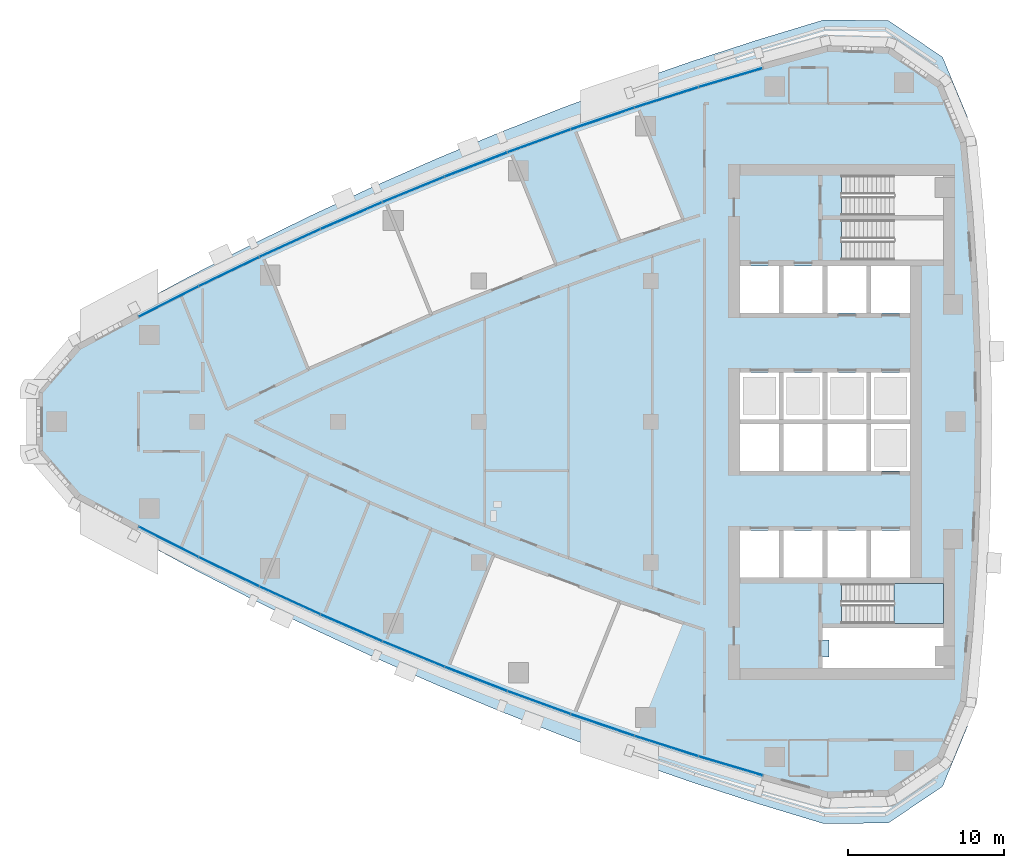
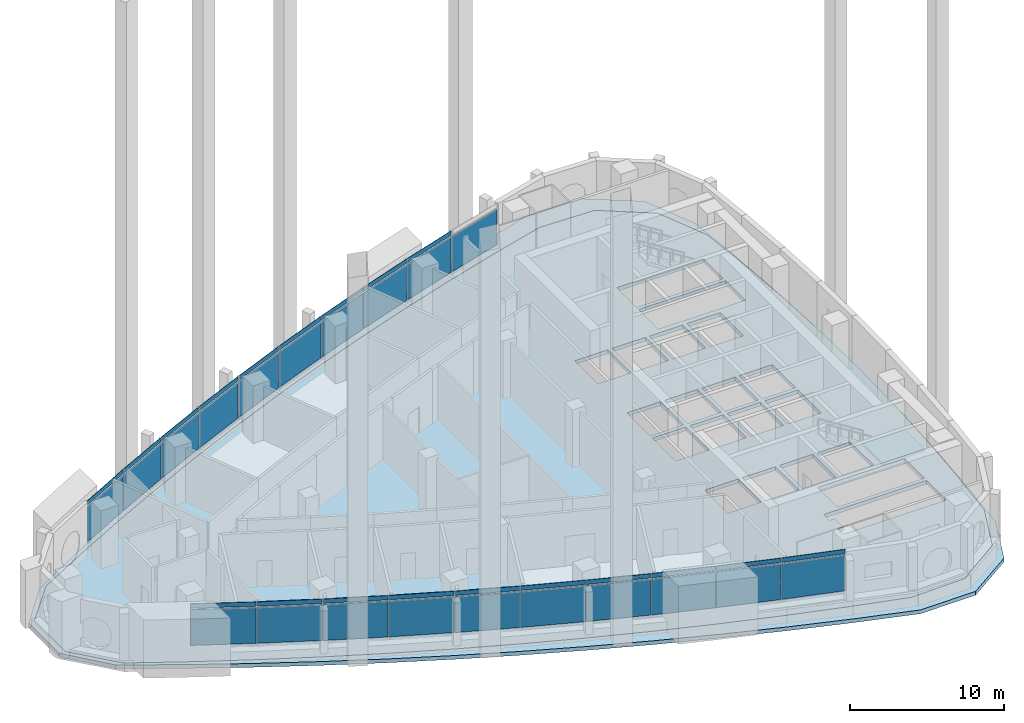
# One storey, part 6 of 19: 39 plates, 3 slabs, 1 opening, 11 elements without a shape of their own.
"""IFC4 building model written with IfcOpenShell, lengths in metres."""

from ifc_helpers import new_model, si_unit, direction, frame, origin, origin_2d, place, context, subcontext, project, spatial, polyline, rectangle, outline, extrude, material, layer, layer_set, type_object, element, aggregate, save


model = new_model("IFC4")

# Units and contexts
model_context = context("Model", 3, precision=1e-05, world=origin(), true_north=direction((0.0, 1.0)))
body_context = subcontext(model_context, "Body", "Model", "MODEL_VIEW")
ifc_project = project(units=[si_unit("LENGTHUNIT", "METRE"), si_unit("AREAUNIT", "SQUARE_METRE"), si_unit("VOLUMEUNIT", "CUBIC_METRE"), si_unit("PLANEANGLEUNIT", "RADIAN"), si_unit("MASSUNIT", "GRAM", prefix="KILO")], contexts=[model_context])

# Site, building, storey
site_placement = place(None, origin())
site = spatial("IfcSite", under=ifc_project, at=site_placement, CompositionType="ELEMENT")
building_placement = place(site_placement, origin())
building = spatial("IfcBuilding", under=site, at=building_placement, Name="Ostrand Prow Hotel Tower", CompositionType="ELEMENT")
storey_placement = place(building_placement, frame((0.0, 0.0, 170.89990234375)))
storey = spatial("IfcBuildingStorey", under=building, at=storey_placement, Name="L42", CompositionType="ELEMENT", Elevation=170.89990234375)

# Curtain wall, plates
ifc_material_1 = material(Name="Insulated glass in bronze anodised frame", Category="glass")
ifc_layer_1 = layer(ifc_material_1, 0.199951171875)
ifc_layer_set_1 = layer_set([ifc_layer_1], Name="Insulated glass in bronze anodised frame")
curtain_wall_type = type_object("IfcCurtainWallType", Name="Sky lobby full-height curtain wall", PredefinedType="NOTDEFINED", material=ifc_layer_set_1)
curtain_wall_1_placement = place(storey_placement, origin())
curtain_wall_1 = element("IfcCurtainWall", 1, at=curtain_wall_1_placement, inside=storey, type_object=curtain_wall_type, Name="CW3 run CWS1", PredefinedType="NOTDEFINED")
ifc_material_2 = material(Name="Low-iron clear glass", Category="glass")
ifc_layer_2 = layer(ifc_material_2, 0.031982421875)
ifc_layer_set_2 = layer_set([ifc_layer_2], Name="Low-iron clear glass")
plate_type_1 = type_object("IfcPlateType", Name="Clear glass unit 32 mm", PredefinedType="CURTAIN_PANEL", material=ifc_layer_set_2)
plate_1_placement = place(storey_placement, frame((14.17529296875, -7.6865234375, 1.02001953125), z_axis=(0.0, 0.0, 1.0), x_axis=(0.891683792196, -0.452658828186, 0.0)))
plate_1 = element("IfcPlate", 2, at=plate_1_placement, type_object=plate_type_1, Name="CW3 PN-C panel 1.2", PredefinedType="CURTAIN_PANEL", context=body_context, shape_type="SweptSolid", body=[
    extrude(rectangle(XDim=4.2451171875, YDim=0.031982421875, at=origin_2d()), origin(), (0.0, 0.0, 1.0), 2.820068359375),
])
plate_2_placement = place(storey_placement, frame((14.17529296875, -7.6865234375, 3.9599609375), z_axis=(0.0, 0.0, 1.0), x_axis=(0.891683792196, -0.452658828186, 0.0)))
plate_2 = element("IfcPlate", 3, at=plate_2_placement, type_object=plate_type_1, Name="CW3 PN-C panel 1.3", PredefinedType="CURTAIN_PANEL", context=body_context, shape_type="SweptSolid", body=[
    extrude(rectangle(XDim=4.2451171875, YDim=0.031982421875, at=origin_2d()), origin(), (0.0, 0.0, 1.0), 0.340087890625),
])
plate_3_placement = place(storey_placement, frame((18.033203125, -9.596435546875, 1.02001953125), z_axis=(0.0, 0.0, 1.0), x_axis=(0.90061633232, -0.434615027304, 0.0)))
plate_3 = element("IfcPlate", 4, at=plate_3_placement, type_object=plate_type_1, Name="CW3 PN-C panel 2.2", PredefinedType="CURTAIN_PANEL", context=body_context, shape_type="SweptSolid", body=[
    extrude(rectangle(XDim=4.2451171875, YDim=0.031982421875, at=origin_2d()), origin(), (0.0, 0.0, 1.0), 2.820068359375),
])

curtain_wall_2_placement = place(storey_placement, origin())
curtain_wall_2 = element("IfcCurtainWall", 5, at=curtain_wall_2_placement, inside=storey, type_object=curtain_wall_type, Name="CW3 run CWS2", PredefinedType="NOTDEFINED")
plate_4_placement = place(storey_placement, frame((21.928955078125, -11.428466796875, 1.02001953125), z_axis=(0.0, 0.0, 1.0), x_axis=(0.909184517226, -0.416393460127, 0.0)))
plate_4 = element("IfcPlate", 6, at=plate_4_placement, type_object=plate_type_1, Name="CW3 PN-C panel 1.2", PredefinedType="CURTAIN_PANEL", context=body_context, shape_type="SweptSolid", body=[
    extrude(rectangle(XDim=4.2451171875, YDim=0.031982421875, at=origin_2d()), origin(), (0.0, 0.0, 1.0), 2.820068359375),
])
plate_5_placement = place(storey_placement, frame((25.860595703125, -13.181396484375, 1.02001953125), z_axis=(0.0, 0.0, 1.0), x_axis=(0.917383388347, -0.398004671812, 0.0)))
plate_5 = element("IfcPlate", 7, at=plate_5_placement, type_object=plate_type_1, Name="CW3 PN-C panel 2.2", PredefinedType="CURTAIN_PANEL", context=body_context, shape_type="SweptSolid", body=[
    extrude(rectangle(XDim=4.2451171875, YDim=0.031982421875, at=origin_2d()), origin(), (0.0, 0.0, 1.0), 2.820068359375),
])

curtain_wall_3_placement = place(storey_placement, origin())
curtain_wall_3 = element("IfcCurtainWall", 8, at=curtain_wall_3_placement, inside=storey, type_object=curtain_wall_type, Name="CW3 run CWS3", PredefinedType="NOTDEFINED")
plate_6_placement = place(storey_placement, frame((29.826904296875, -14.85498046875, 1.02001953125), z_axis=(0.0, 0.0, 1.0), x_axis=(0.925211042932, -0.379452929936, 0.0)))
plate_6 = element("IfcPlate", 9, at=plate_6_placement, type_object=plate_type_1, Name="CW3 PN-C panel 1.2", PredefinedType="CURTAIN_PANEL", context=body_context, shape_type="SweptSolid", body=[
    extrude(rectangle(XDim=4.2451171875, YDim=0.031982421875, at=origin_2d()), origin(), (0.0, 0.0, 1.0), 2.820068359375),
])
plate_7_placement = place(storey_placement, frame((29.826904296875, -14.85498046875, 3.9599609375), z_axis=(0.0, 0.0, 1.0), x_axis=(0.925211042932, -0.379452929936, 0.0)))
plate_7 = element("IfcPlate", 10, at=plate_7_placement, type_object=plate_type_1, Name="CW3 PN-C panel 1.3", PredefinedType="CURTAIN_PANEL", context=body_context, shape_type="SweptSolid", body=[
    extrude(rectangle(XDim=4.2451171875, YDim=0.031982421875, at=origin_2d()), origin(), (0.0, 0.0, 1.0), 0.340087890625),
])
plate_8_placement = place(storey_placement, frame((33.826171875, -16.4482421875, 1.02001953125), z_axis=(0.0, 0.0, 1.0), x_axis=(0.932662950972, -0.360748970732, 0.0)))
plate_8 = element("IfcPlate", 11, at=plate_8_placement, type_object=plate_type_1, Name="CW3 PN-C panel 2.2", PredefinedType="CURTAIN_PANEL", context=body_context, shape_type="SweptSolid", body=[
    extrude(rectangle(XDim=4.2451171875, YDim=0.031982421875, at=origin_2d()), origin(), (0.0, 0.0, 1.0), 2.820068359375),
])

curtain_wall_4_placement = place(storey_placement, origin())
curtain_wall_4 = element("IfcCurtainWall", 12, at=curtain_wall_4_placement, inside=storey, type_object=curtain_wall_type, Name="CW3 run CWS4", PredefinedType="NOTDEFINED")
plate_9_placement = place(storey_placement, frame((37.8564453125, -17.960693359375, 1.02001953125), z_axis=(0.0, 0.0, 1.0), x_axis=(0.939737383067, -0.341897134919, 0.0)))
plate_9 = element("IfcPlate", 13, at=plate_9_placement, type_object=plate_type_1, Name="CW3 PN-C panel 1.2", PredefinedType="CURTAIN_PANEL", context=body_context, shape_type="SweptSolid", body=[
    extrude(rectangle(XDim=4.2451171875, YDim=0.031982421875, at=origin_2d()), origin(), (0.0, 0.0, 1.0), 2.820068359375),
])
plate_10_placement = place(storey_placement, frame((41.91650390625, -19.3916015625, 1.02001953125), z_axis=(0.0, 0.0, 1.0), x_axis=(0.946430245113, -0.322908332404, 0.0)))
plate_10 = element("IfcPlate", 14, at=plate_10_placement, type_object=plate_type_1, Name="CW3 PN-C panel 2.2", PredefinedType="CURTAIN_PANEL", context=body_context, shape_type="SweptSolid", body=[
    extrude(rectangle(XDim=4.2451171875, YDim=0.031982421875, at=origin_2d()), origin(), (0.0, 0.0, 1.0), 2.820068359375),
])

curtain_wall_5_placement = place(storey_placement, origin())
curtain_wall_5 = element("IfcCurtainWall", 15, at=curtain_wall_5_placement, inside=storey, type_object=curtain_wall_type, Name="CW3 run CWS5", PredefinedType="NOTDEFINED")
plate_11_placement = place(storey_placement, frame((46.00439453125, -20.74072265625, 1.02001953125), z_axis=(0.0, 0.0, 1.0), x_axis=(0.952739983864, -0.303786970008, 0.0)))
plate_11 = element("IfcPlate", 16, at=plate_11_placement, type_object=plate_type_1, Name="CW3 PN-C panel 1.2", PredefinedType="CURTAIN_PANEL", context=body_context, shape_type="SweptSolid", body=[
    extrude(rectangle(XDim=4.2451171875, YDim=0.031982421875, at=origin_2d()), origin(), (0.0, 0.0, 1.0), 2.820068359375),
])
plate_12_placement = place(storey_placement, frame((46.00439453125, -20.74072265625, 3.9599609375), z_axis=(0.0, 0.0, 1.0), x_axis=(0.952739983864, -0.303786970008, 0.0)))
plate_12 = element("IfcPlate", 17, at=plate_12_placement, type_object=plate_type_1, Name="CW3 PN-C panel 1.3", PredefinedType="CURTAIN_PANEL", context=body_context, shape_type="SweptSolid", body=[
    extrude(rectangle(XDim=4.2451171875, YDim=0.031982421875, at=origin_2d()), origin(), (0.0, 0.0, 1.0), 0.340087890625),
])
plate_13_placement = place(storey_placement, frame((50.118896484375, -22.007080078125, 1.02001953125), z_axis=(0.0, 0.0, 1.0), x_axis=(0.958662947758, -0.284544113619, 0.0)))
plate_13 = element("IfcPlate", 18, at=plate_13_placement, type_object=plate_type_1, Name="CW3 PN-C panel 2.2", PredefinedType="CURTAIN_PANEL", context=body_context, shape_type="SweptSolid", body=[
    extrude(rectangle(XDim=4.2451171875, YDim=0.031982421875, at=origin_2d()), origin(), (0.0, 0.0, 1.0), 2.820068359375),
])

curtain_wall_6_placement = place(storey_placement, origin())
curtain_wall_6 = element("IfcCurtainWall", 19, at=curtain_wall_6_placement, inside=storey, type_object=curtain_wall_type, Name="CW3 run CWN1", PredefinedType="NOTDEFINED")
plate_14_placement = place(storey_placement, frame((50.118896484375, 22.007080078125, 1.02001953125), z_axis=(0.0, 0.0, 1.0), x_axis=(-0.958662947758, -0.284544113619, 0.0)))
plate_14 = element("IfcPlate", 20, at=plate_14_placement, type_object=plate_type_1, Name="CW3 PN-C panel 1.2", PredefinedType="CURTAIN_PANEL", context=body_context, shape_type="SweptSolid", body=[
    extrude(rectangle(XDim=4.2451171875, YDim=0.031982421875, at=origin_2d()), origin(), (0.0, 0.0, 1.0), 2.820068359375),
])
plate_15_placement = place(storey_placement, frame((46.00439453125, 20.74072265625, 1.02001953125), z_axis=(0.0, 0.0, 1.0), x_axis=(-0.952739983864, -0.303786970008, 0.0)))
plate_15 = element("IfcPlate", 21, at=plate_15_placement, type_object=plate_type_1, Name="CW3 PN-C panel 2.2", PredefinedType="CURTAIN_PANEL", context=body_context, shape_type="SweptSolid", body=[
    extrude(rectangle(XDim=4.2451171875, YDim=0.031982421875, at=origin_2d()), origin(), (0.0, 0.0, 1.0), 2.820068359375),
])

curtain_wall_7_placement = place(storey_placement, origin())
curtain_wall_7 = element("IfcCurtainWall", 22, at=curtain_wall_7_placement, inside=storey, type_object=curtain_wall_type, Name="CW3 run CWN2", PredefinedType="NOTDEFINED")
plate_16_placement = place(storey_placement, frame((41.91650390625, 19.3916015625, 1.02001953125), z_axis=(0.0, 0.0, 1.0), x_axis=(-0.946430245113, -0.322908332404, 0.0)))
plate_16 = element("IfcPlate", 23, at=plate_16_placement, type_object=plate_type_1, Name="CW3 PN-C panel 1.2", PredefinedType="CURTAIN_PANEL", context=body_context, shape_type="SweptSolid", body=[
    extrude(rectangle(XDim=4.2451171875, YDim=0.031982421875, at=origin_2d()), origin(), (0.0, 0.0, 1.0), 2.820068359375),
])
plate_17_placement = place(storey_placement, frame((37.8564453125, 17.960693359375, 1.02001953125), z_axis=(0.0, 0.0, 1.0), x_axis=(-0.939737383067, -0.341897134919, 0.0)))
plate_17 = element("IfcPlate", 24, at=plate_17_placement, type_object=plate_type_1, Name="CW3 PN-C panel 2.2", PredefinedType="CURTAIN_PANEL", context=body_context, shape_type="SweptSolid", body=[
    extrude(rectangle(XDim=4.2451171875, YDim=0.031982421875, at=origin_2d()), origin(), (0.0, 0.0, 1.0), 2.820068359375),
])

curtain_wall_8_placement = place(storey_placement, origin())
curtain_wall_8 = element("IfcCurtainWall", 25, at=curtain_wall_8_placement, inside=storey, type_object=curtain_wall_type, Name="CW3 run CWN3", PredefinedType="NOTDEFINED")
plate_18_placement = place(storey_placement, frame((33.826171875, 16.4482421875, 1.02001953125), z_axis=(0.0, 0.0, 1.0), x_axis=(-0.932662950972, -0.360748970732, 0.0)))
plate_18 = element("IfcPlate", 26, at=plate_18_placement, type_object=plate_type_1, Name="CW3 PN-C panel 1.2", PredefinedType="CURTAIN_PANEL", context=body_context, shape_type="SweptSolid", body=[
    extrude(rectangle(XDim=4.2451171875, YDim=0.031982421875, at=origin_2d()), origin(), (0.0, 0.0, 1.0), 2.820068359375),
])
plate_19_placement = place(storey_placement, frame((33.826171875, 16.4482421875, 3.9599609375), z_axis=(0.0, 0.0, 1.0), x_axis=(-0.932662950972, -0.360748970732, 0.0)))
plate_19 = element("IfcPlate", 27, at=plate_19_placement, type_object=plate_type_1, Name="CW3 PN-C panel 1.3", PredefinedType="CURTAIN_PANEL", context=body_context, shape_type="SweptSolid", body=[
    extrude(rectangle(XDim=4.2451171875, YDim=0.031982421875, at=origin_2d()), origin(), (0.0, 0.0, 1.0), 0.340087890625),
])
plate_20_placement = place(storey_placement, frame((29.826904296875, 14.85498046875, 1.02001953125), z_axis=(0.0, 0.0, 1.0), x_axis=(-0.925211042932, -0.379452929936, 0.0)))
plate_20 = element("IfcPlate", 28, at=plate_20_placement, type_object=plate_type_1, Name="CW3 PN-C panel 2.2", PredefinedType="CURTAIN_PANEL", context=body_context, shape_type="SweptSolid", body=[
    extrude(rectangle(XDim=4.2451171875, YDim=0.031982421875, at=origin_2d()), origin(), (0.0, 0.0, 1.0), 2.820068359375),
])

curtain_wall_9_placement = place(storey_placement, origin())
curtain_wall_9 = element("IfcCurtainWall", 29, at=curtain_wall_9_placement, inside=storey, type_object=curtain_wall_type, Name="CW3 run CWN4", PredefinedType="NOTDEFINED")
plate_21_placement = place(storey_placement, frame((25.860595703125, 13.181396484375, 1.02001953125), z_axis=(0.0, 0.0, 1.0), x_axis=(-0.917383388347, -0.398004671812, 0.0)))
plate_21 = element("IfcPlate", 30, at=plate_21_placement, type_object=plate_type_1, Name="CW3 PN-C panel 1.2", PredefinedType="CURTAIN_PANEL", context=body_context, shape_type="SweptSolid", body=[
    extrude(rectangle(XDim=4.2451171875, YDim=0.031982421875, at=origin_2d()), origin(), (0.0, 0.0, 1.0), 2.820068359375),
])
plate_22_placement = place(storey_placement, frame((21.928955078125, 11.428466796875, 1.02001953125), z_axis=(0.0, 0.0, 1.0), x_axis=(-0.909184517226, -0.416393460127, 0.0)))
plate_22 = element("IfcPlate", 31, at=plate_22_placement, type_object=plate_type_1, Name="CW3 PN-C panel 2.2", PredefinedType="CURTAIN_PANEL", context=body_context, shape_type="SweptSolid", body=[
    extrude(rectangle(XDim=4.2451171875, YDim=0.031982421875, at=origin_2d()), origin(), (0.0, 0.0, 1.0), 2.820068359375),
])

curtain_wall_10_placement = place(storey_placement, origin())
curtain_wall_10 = element("IfcCurtainWall", 32, at=curtain_wall_10_placement, inside=storey, type_object=curtain_wall_type, Name="CW3 run CWN5", PredefinedType="NOTDEFINED")
plate_23_placement = place(storey_placement, frame((18.033203125, 9.596435546875, 1.02001953125), z_axis=(0.0, 0.0, 1.0), x_axis=(-0.90061633232, -0.434615027304, 0.0)))
plate_23 = element("IfcPlate", 33, at=plate_23_placement, type_object=plate_type_1, Name="CW3 PN-C panel 1.2", PredefinedType="CURTAIN_PANEL", context=body_context, shape_type="SweptSolid", body=[
    extrude(rectangle(XDim=4.2451171875, YDim=0.031982421875, at=origin_2d()), origin(), (0.0, 0.0, 1.0), 2.820068359375),
])
plate_24_placement = place(storey_placement, frame((18.033203125, 9.596435546875, 3.9599609375), z_axis=(0.0, 0.0, 1.0), x_axis=(-0.90061633232, -0.434615027304, 0.0)))
plate_24 = element("IfcPlate", 34, at=plate_24_placement, type_object=plate_type_1, Name="CW3 PN-C panel 1.3", PredefinedType="CURTAIN_PANEL", context=body_context, shape_type="SweptSolid", body=[
    extrude(rectangle(XDim=4.2451171875, YDim=0.031982421875, at=origin_2d()), origin(), (0.0, 0.0, 1.0), 0.340087890625),
])
plate_25_placement = place(storey_placement, frame((14.17529296875, 7.6865234375, 1.02001953125), z_axis=(0.0, 0.0, 1.0), x_axis=(-0.891683792196, -0.452658828186, 0.0)))
plate_25 = element("IfcPlate", 35, at=plate_25_placement, type_object=plate_type_1, Name="CW3 PN-C panel 2.2", PredefinedType="CURTAIN_PANEL", context=body_context, shape_type="SweptSolid", body=[
    extrude(rectangle(XDim=4.2451171875, YDim=0.031982421875, at=origin_2d()), origin(), (0.0, 0.0, 1.0), 2.820068359375),
])

# Plate
ifc_material_3 = material(Name="Ceramic-fritted glass", Category="glass")
ifc_layer_3 = layer(ifc_material_3, 0.031982421875)
ifc_layer_set_3 = layer_set([ifc_layer_3], Name="Ceramic-fritted glass")
plate_type_2 = type_object("IfcPlateType", Name="Dot-fritted ceramic glass unit 32 mm", PredefinedType="CURTAIN_PANEL", material=ifc_layer_set_3)
plate_26_placement = place(storey_placement, frame((18.033203125, -9.596435546875, 3.9599609375), z_axis=(0.0, 0.0, 1.0), x_axis=(0.90061633232, -0.434615027304, 0.0)))
plate_26 = element("IfcPlate", 36, at=plate_26_placement, type_object=plate_type_2, Name="CW3 PN-D panel 2.3", PredefinedType="CURTAIN_PANEL", context=body_context, shape_type="SweptSolid", body=[
    extrude(rectangle(XDim=4.2451171875, YDim=0.031982421875, at=origin_2d()), origin(), (0.0, 0.0, 1.0), 0.340087890625),
])

aggregate(curtain_wall_1, [plate_1, plate_2, plate_3, plate_26])

plate_27_placement = place(storey_placement, frame((25.860595703125, -13.181396484375, 3.9599609375), z_axis=(0.0, 0.0, 1.0), x_axis=(0.917383388347, -0.398004671812, 0.0)))
plate_27 = element("IfcPlate", 37, at=plate_27_placement, type_object=plate_type_2, Name="CW3 PN-D panel 2.3", PredefinedType="CURTAIN_PANEL", context=body_context, shape_type="SweptSolid", body=[
    extrude(rectangle(XDim=4.2451171875, YDim=0.031982421875, at=origin_2d()), origin(), (0.0, 0.0, 1.0), 0.340087890625),
])

plate_28_placement = place(storey_placement, frame((33.826171875, -16.4482421875, 3.9599609375), z_axis=(0.0, 0.0, 1.0), x_axis=(0.932662950972, -0.360748970732, 0.0)))
plate_28 = element("IfcPlate", 38, at=plate_28_placement, type_object=plate_type_2, Name="CW3 PN-D panel 2.3", PredefinedType="CURTAIN_PANEL", context=body_context, shape_type="SweptSolid", body=[
    extrude(rectangle(XDim=4.2451171875, YDim=0.031982421875, at=origin_2d()), origin(), (0.0, 0.0, 1.0), 0.340087890625),
])

aggregate(curtain_wall_3, [plate_6, plate_7, plate_8, plate_28])

plate_29_placement = place(storey_placement, frame((41.91650390625, -19.3916015625, 3.9599609375), z_axis=(0.0, 0.0, 1.0), x_axis=(0.946430245113, -0.322908332404, 0.0)))
plate_29 = element("IfcPlate", 39, at=plate_29_placement, type_object=plate_type_2, Name="CW3 PN-D panel 2.3", PredefinedType="CURTAIN_PANEL", context=body_context, shape_type="SweptSolid", body=[
    extrude(rectangle(XDim=4.2451171875, YDim=0.031982421875, at=origin_2d()), origin(), (0.0, 0.0, 1.0), 0.340087890625),
])

plate_30_placement = place(storey_placement, frame((50.118896484375, -22.007080078125, 3.9599609375), z_axis=(0.0, 0.0, 1.0), x_axis=(0.958662947758, -0.284544113619, 0.0)))
plate_30 = element("IfcPlate", 40, at=plate_30_placement, type_object=plate_type_2, Name="CW3 PN-D panel 2.3", PredefinedType="CURTAIN_PANEL", context=body_context, shape_type="SweptSolid", body=[
    extrude(rectangle(XDim=4.2451171875, YDim=0.031982421875, at=origin_2d()), origin(), (0.0, 0.0, 1.0), 0.340087890625),
])

aggregate(curtain_wall_5, [plate_11, plate_12, plate_13, plate_30])

plate_31_placement = place(storey_placement, frame((46.00439453125, 20.74072265625, 3.9599609375), z_axis=(0.0, 0.0, 1.0), x_axis=(-0.952739983864, -0.303786970008, 0.0)))
plate_31 = element("IfcPlate", 41, at=plate_31_placement, type_object=plate_type_2, Name="CW3 PN-D panel 2.3", PredefinedType="CURTAIN_PANEL", context=body_context, shape_type="SweptSolid", body=[
    extrude(rectangle(XDim=4.2451171875, YDim=0.031982421875, at=origin_2d()), origin(), (0.0, 0.0, 1.0), 0.340087890625),
])

aggregate(curtain_wall_6, [plate_14, plate_15, plate_31])

plate_32_placement = place(storey_placement, frame((37.8564453125, 17.960693359375, 3.9599609375), z_axis=(0.0, 0.0, 1.0), x_axis=(-0.939737383067, -0.341897134919, 0.0)))
plate_32 = element("IfcPlate", 42, at=plate_32_placement, type_object=plate_type_2, Name="CW3 PN-D panel 2.3", PredefinedType="CURTAIN_PANEL", context=body_context, shape_type="SweptSolid", body=[
    extrude(rectangle(XDim=4.2451171875, YDim=0.031982421875, at=origin_2d()), origin(), (0.0, 0.0, 1.0), 0.340087890625),
])

plate_33_placement = place(storey_placement, frame((29.826904296875, 14.85498046875, 3.9599609375), z_axis=(0.0, 0.0, 1.0), x_axis=(-0.925211042932, -0.379452929936, 0.0)))
plate_33 = element("IfcPlate", 43, at=plate_33_placement, type_object=plate_type_2, Name="CW3 PN-D panel 2.3", PredefinedType="CURTAIN_PANEL", context=body_context, shape_type="SweptSolid", body=[
    extrude(rectangle(XDim=4.2451171875, YDim=0.031982421875, at=origin_2d()), origin(), (0.0, 0.0, 1.0), 0.340087890625),
])

aggregate(curtain_wall_8, [plate_18, plate_19, plate_20, plate_33])

plate_34_placement = place(storey_placement, frame((21.928955078125, 11.428466796875, 3.9599609375), z_axis=(0.0, 0.0, 1.0), x_axis=(-0.909184517226, -0.416393460127, 0.0)))
plate_34 = element("IfcPlate", 44, at=plate_34_placement, type_object=plate_type_2, Name="CW3 PN-D panel 2.3", PredefinedType="CURTAIN_PANEL", context=body_context, shape_type="SweptSolid", body=[
    extrude(rectangle(XDim=4.2451171875, YDim=0.031982421875, at=origin_2d()), origin(), (0.0, 0.0, 1.0), 0.340087890625),
])

plate_35_placement = place(storey_placement, frame((14.17529296875, 7.6865234375, 3.9599609375), z_axis=(0.0, 0.0, 1.0), x_axis=(-0.891683792196, -0.452658828186, 0.0)))
plate_35 = element("IfcPlate", 45, at=plate_35_placement, type_object=plate_type_2, Name="CW3 PN-D panel 2.3", PredefinedType="CURTAIN_PANEL", context=body_context, shape_type="SweptSolid", body=[
    extrude(rectangle(XDim=4.2451171875, YDim=0.031982421875, at=origin_2d()), origin(), (0.0, 0.0, 1.0), 0.340087890625),
])

aggregate(curtain_wall_10, [plate_23, plate_24, plate_25, plate_35])

ifc_material_4 = material(Name="Ceramic-fritted glass", Category="glass")
ifc_layer_4 = layer(ifc_material_4, 0.031982421875)
ifc_layer_set_4 = layer_set([ifc_layer_4], Name="Ceramic-fritted glass")
plate_type_3 = type_object("IfcPlateType", Name="Line-fritted ceramic glass unit 32 mm", PredefinedType="CURTAIN_PANEL", material=ifc_layer_set_4)
plate_36_placement = place(storey_placement, frame((21.928955078125, -11.428466796875, 3.9599609375), z_axis=(0.0, 0.0, 1.0), x_axis=(0.909184517226, -0.416393460127, 0.0)))
plate_36 = element("IfcPlate", 46, at=plate_36_placement, type_object=plate_type_3, Name="CW3 PN-L panel 1.3", PredefinedType="CURTAIN_PANEL", context=body_context, shape_type="SweptSolid", body=[
    extrude(rectangle(XDim=4.2451171875, YDim=0.031982421875, at=origin_2d()), origin(), (0.0, 0.0, 1.0), 0.340087890625),
])

aggregate(curtain_wall_2, [plate_4, plate_36, plate_5, plate_27])

plate_37_placement = place(storey_placement, frame((37.8564453125, -17.960693359375, 3.9599609375), z_axis=(0.0, 0.0, 1.0), x_axis=(0.939737383067, -0.341897134919, 0.0)))
plate_37 = element("IfcPlate", 47, at=plate_37_placement, type_object=plate_type_3, Name="CW3 PN-L panel 1.3", PredefinedType="CURTAIN_PANEL", context=body_context, shape_type="SweptSolid", body=[
    extrude(rectangle(XDim=4.2451171875, YDim=0.031982421875, at=origin_2d()), origin(), (0.0, 0.0, 1.0), 0.340087890625),
])

aggregate(curtain_wall_4, [plate_9, plate_37, plate_10, plate_29])

plate_38_placement = place(storey_placement, frame((41.91650390625, 19.3916015625, 3.9599609375), z_axis=(0.0, 0.0, 1.0), x_axis=(-0.946430245113, -0.322908332404, 0.0)))
plate_38 = element("IfcPlate", 48, at=plate_38_placement, type_object=plate_type_3, Name="CW3 PN-L panel 1.3", PredefinedType="CURTAIN_PANEL", context=body_context, shape_type="SweptSolid", body=[
    extrude(rectangle(XDim=4.2451171875, YDim=0.031982421875, at=origin_2d()), origin(), (0.0, 0.0, 1.0), 0.340087890625),
])

aggregate(curtain_wall_7, [plate_16, plate_38, plate_17, plate_32])

plate_39_placement = place(storey_placement, frame((25.860595703125, 13.181396484375, 3.9599609375), z_axis=(0.0, 0.0, 1.0), x_axis=(-0.917383388347, -0.398004671812, 0.0)))
plate_39 = element("IfcPlate", 49, at=plate_39_placement, type_object=plate_type_3, Name="CW3 PN-L panel 1.3", PredefinedType="CURTAIN_PANEL", context=body_context, shape_type="SweptSolid", body=[
    extrude(rectangle(XDim=4.2451171875, YDim=0.031982421875, at=origin_2d()), origin(), (0.0, 0.0, 1.0), 0.340087890625),
])

aggregate(curtain_wall_9, [plate_21, plate_39, plate_22, plate_34])

# Slab, opening
ifc_material_5 = material(Name="Concrete C40/50", Category="concrete")
ifc_layer_5 = layer(ifc_material_5, 0.300048828125)
ifc_layer_set_5 = layer_set([ifc_layer_5], Name="Concrete C40/50")
slab_type_1 = type_object("IfcSlabType", Name="PT flat plate 300 C40/50", PredefinedType="FLOOR", material=ifc_layer_set_5)
slab_1_placement = place(storey_placement, frame((0.0, 0.0, -0.2998046875)))
slab_1 = element("IfcSlab", 50, at=slab_1_placement, inside=storey, type_object=slab_type_1, Name="Floor slab L42-1", PredefinedType="FLOOR", context=body_context, shape_type="SweptSolid", body=[
    extrude(outline(polyline([(8.22216796875, 5.025634765625), (12.06689453125, 7.07568359375), (15.912841796875, 9.0283203125), (19.797607421875, 10.90283203125), (23.718994140625, 12.698974609375), (27.676025390625, 14.41552734375), (31.666748046875, 16.05224609375), (35.689697265625, 17.6083984375), (39.7431640625, 19.0830078125), (43.8251953125, 20.475830078125), (47.934814453125, 21.7861328125), (52.06982421875, 23.013427734375), (56.26220703125, 24.16650390625), (60.3349609375, 24.0498046875), (63.721435546875, 21.719482421875), (65.2861328125, 17.957275390625), (65.70947265625, 13.453369140625), (66.009765625, 8.974365234375), (66.18994140625, 4.48876953125), (66.25, 0.0), (66.18994140625, -4.48876953125), (66.009765625, -8.974365234375), (65.70947265625, -13.453369140625), (65.2861328125, -17.957275390625), (63.721435546875, -21.719482421875), (60.3349609375, -24.0498046875), (56.26220703125, -24.16650390625), (52.06982421875, -23.013427734375), (47.934814453125, -21.7861328125), (43.8251953125, -20.475830078125), (39.7431640625, -19.0830078125), (35.689697265625, -17.6083984375), (31.666748046875, -16.05224609375), (27.676025390625, -14.41552734375), (23.718994140625, -12.698974609375), (19.797607421875, -10.90283203125), (15.912841796875, -9.0283203125), (12.06689453125, -7.07568359375), (8.22216796875, -5.025634765625), (5.614013671875, -2.014892578125), (5.614013671875, 2.014892578125), (8.22216796875, 5.025634765625)]), holes=[polyline([(50.699951171875, 6.949951171875), (53.199951171875, 6.949951171875), (53.199951171875, 9.949951171875), (50.699951171875, 9.949951171875), (50.699951171875, 6.949951171875)]), polyline([(53.5, 6.949951171875), (56.0, 6.949951171875), (56.0, 9.949951171875), (53.5, 9.949951171875), (53.5, 6.949951171875)]), polyline([(56.300048828125, 6.949951171875), (58.800048828125, 6.949951171875), (58.800048828125, 9.949951171875), (56.300048828125, 9.949951171875), (56.300048828125, 6.949951171875)]), polyline([(59.10009765625, 6.949951171875), (61.60009765625, 6.949951171875), (61.60009765625, 9.949951171875), (59.10009765625, 9.949951171875), (59.10009765625, 6.949951171875)]), polyline([(50.699951171875, 0.14990234375), (53.199951171875, 0.14990234375), (53.199951171875, 3.14990234375), (50.699951171875, 3.14990234375), (50.699951171875, 0.14990234375)]), polyline([(53.5, 0.14990234375), (56.0, 0.14990234375), (56.0, 3.14990234375), (53.5, 3.14990234375), (53.5, 0.14990234375)]), polyline([(56.300048828125, 0.14990234375), (58.800048828125, 0.14990234375), (58.800048828125, 3.14990234375), (56.300048828125, 3.14990234375), (56.300048828125, 0.14990234375)]), polyline([(59.10009765625, 0.14990234375), (61.60009765625, 0.14990234375), (61.60009765625, 3.14990234375), (59.10009765625, 3.14990234375), (59.10009765625, 0.14990234375)]), polyline([(50.699951171875, -3.14990234375), (53.199951171875, -3.14990234375), (53.199951171875, -0.14990234375), (50.699951171875, -0.14990234375), (50.699951171875, -3.14990234375)]), polyline([(53.5, -3.14990234375), (56.0, -3.14990234375), (56.0, -0.14990234375), (53.5, -0.14990234375), (53.5, -3.14990234375)]), polyline([(56.300048828125, -3.14990234375), (58.800048828125, -3.14990234375), (58.800048828125, -0.14990234375), (56.300048828125, -0.14990234375), (56.300048828125, -3.14990234375)]), polyline([(59.10009765625, -3.14990234375), (61.60009765625, -3.14990234375), (61.60009765625, -0.14990234375), (59.10009765625, -0.14990234375), (59.10009765625, -3.14990234375)]), polyline([(50.699951171875, -9.949951171875), (53.199951171875, -9.949951171875), (53.199951171875, -6.949951171875), (50.699951171875, -6.949951171875), (50.699951171875, -9.949951171875)]), polyline([(53.5, -9.949951171875), (56.0, -9.949951171875), (56.0, -6.949951171875), (53.5, -6.949951171875), (53.5, -9.949951171875)]), polyline([(56.300048828125, -9.949951171875), (58.800048828125, -9.949951171875), (58.800048828125, -6.949951171875), (56.300048828125, -6.949951171875), (56.300048828125, -9.949951171875)]), polyline([(59.10009765625, -9.949951171875), (61.60009765625, -9.949951171875), (61.60009765625, -6.949951171875), (59.10009765625, -6.949951171875), (59.10009765625, -9.949951171875)]), polyline([(57.200927734375, 10.35107421875), (57.200927734375, 12.89892578125), (63.718994140625, 12.89892578125), (63.718994140625, 10.35107421875), (57.200927734375, 10.35107421875)]), polyline([(57.200927734375, 13.200927734375), (57.200927734375, 15.7490234375), (63.718994140625, 15.7490234375), (63.718994140625, 13.200927734375), (57.200927734375, 13.200927734375)]), polyline([(57.200927734375, -12.89892578125), (57.200927734375, -10.35107421875), (63.718994140625, -10.35107421875), (63.718994140625, -12.89892578125), (57.200927734375, -12.89892578125)]), polyline([(56.39990234375, -15.050048828125), (56.39990234375, -13.949951171875), (56.0, -13.949951171875), (56.0, -13.199951171875), (63.719970703125, -13.199951171875), (63.719970703125, -15.75), (56.0, -15.75), (56.0, -15.050048828125), (56.39990234375, -15.050048828125)])]), origin(), (0.0, 0.0, 1.0), 0.2998046875),
])
opening_placement = place(slab_1_placement, origin())
element("IfcOpeningElement", 51, at=opening_placement, cuts=slab_1, Name="Shaft opening 1", PredefinedType="OPENING", context=body_context, shape_type="SweptSolid", body=[
    extrude(outline(polyline([(56.39990234375, -15.050048828125), (56.39990234375, -13.949951171875), (56.0, -13.949951171875), (56.0, -13.199951171875), (63.719970703125, -13.199951171875), (63.719970703125, -15.75), (56.0, -15.75), (56.0, -15.050048828125), (56.39990234375, -15.050048828125)])), origin(), (0.0, 0.0, 1.0), 0.2998046875),
])

# Slab
ifc_material_6 = material(Name="Concrete C40/50", Category="concrete")
ifc_layer_6 = layer(ifc_material_6, 0.300048828125)
ifc_layer_set_6 = layer_set([ifc_layer_6], Name="Concrete C40/50")
slab_type_2 = type_object("IfcSlabType", Name="Roof slab 300 C40/50", PredefinedType="ROOF", material=ifc_layer_set_6)
slab_2_placement = place(storey_placement, frame((0.0, 0.0, -0.2998046875)))
element("IfcSlab", 52, at=slab_2_placement, inside=storey, type_object=slab_type_2, Name="Ledge roof slab L42.1", PredefinedType="ROOF", context=body_context, shape_type="SweptSolid", body=[
    extrude(outline(polyline([(11.51611328125, 7.138916015625), (15.37939453125, 9.2265625), (19.283935546875, 11.236083984375), (23.228271484375, 13.166748046875), (27.210205078125, 15.017822265625), (31.22900390625, 16.788330078125), (35.2822265625, 18.47802734375), (39.36865234375, 20.085693359375), (43.486572265625, 21.611083984375), (47.63427734375, 23.05322265625), (51.810302734375, 24.411865234375), (56.046630859375, 25.696533203125), (60.193115234375, 25.6640625), (63.664306640625, 23.328125), (65.256103515625, 19.498779296875), (65.650390625, 15.148681640625), (65.944091796875, 10.825927734375), (66.139892578125, 6.497802734375), (66.177978515625, 4.810302734375), (66.0107421875, 8.974365234375), (65.71044921875, 13.45361328125), (65.287109375, 17.95751953125), (63.72216796875, 21.72021484375), (60.335205078125, 24.05078125), (56.26220703125, 24.16748046875), (52.069580078125, 23.014404296875), (47.9345703125, 21.787109375), (43.824951171875, 20.476806640625), (39.74267578125, 19.083984375), (35.689208984375, 17.609375), (31.66650390625, 16.05322265625), (27.67578125, 14.41650390625), (23.71875, 12.69970703125), (19.797119140625, 10.90380859375), (15.91259765625, 9.029052734375), (12.06640625, 7.07666015625), (8.221435546875, 5.0263671875), (5.61279296875, 2.015380859375), (5.61279296875, -2.015380859375), (8.221435546875, -5.0263671875), (12.06640625, -7.07666015625), (15.91259765625, -9.029052734375), (19.797119140625, -10.90380859375), (23.71875, -12.69970703125), (27.67578125, -14.41650390625), (31.66650390625, -16.05322265625), (35.689208984375, -17.609375), (39.74267578125, -19.083984375), (43.824951171875, -20.476806640625), (47.9345703125, -21.787109375), (52.069580078125, -23.014404296875), (56.26220703125, -24.16748046875), (60.335205078125, -24.05078125), (63.72216796875, -21.72021484375), (65.287109375, -17.95751953125), (65.71044921875, -13.45361328125), (66.0107421875, -8.974365234375), (66.177978515625, -4.810302734375), (66.139892578125, -6.497802734375), (65.944091796875, -10.825927734375), (65.650390625, -15.148681640625), (65.256103515625, -19.498779296875), (63.664306640625, -23.328125), (60.193115234375, -25.6640625), (56.046630859375, -25.696533203125), (51.810302734375, -24.411865234375), (47.63427734375, -23.05322265625), (43.486572265625, -21.611083984375), (39.36865234375, -20.085693359375), (35.2822265625, -18.47802734375), (31.22900390625, -16.788330078125), (27.210205078125, -15.017822265625), (23.228271484375, -13.166748046875), (19.283935546875, -11.236083984375), (15.37939453125, -9.2265625), (11.51611328125, -7.138916015625), (7.658203125, -4.952880859375), (5.16064453125, -1.968505859375), (5.16064453125, 1.968505859375), (7.658203125, 4.952880859375), (11.51611328125, 7.138916015625)])), origin(), (0.0, 0.0, 1.0), 0.2998046875),
])

# Stair, slab
ifc_material_7 = material(Name="Concrete C40/50", Category="concrete")
stair_type = type_object("IfcStairType", Name="Exit stair 1200 upper zone", PredefinedType="HALF_TURN_STAIR", material=ifc_material_7)
stair_placement = place(storey_placement, origin())
stair = element("IfcStair", 53, at=stair_placement, inside=storey, type_object=stair_type, Name="L42 ST2C", PredefinedType="HALF_TURN_STAIR")
ifc_material_8 = material(Name="Concrete C40/50", Category="concrete")
ifc_layer_7 = layer(ifc_material_8, 0.199951171875)
ifc_layer_set_7 = layer_set([ifc_layer_7], Name="Concrete C40/50")
slab_type_3 = type_object("IfcSlabType", Name="Stair landing 200 concrete", PredefinedType="LANDING", material=ifc_layer_set_7)
slab_3_placement = place(storey_placement, frame((0.0, 0.0, 2.10009765625)))
slab_3 = element("IfcSlab", 54, at=slab_3_placement, type_object=slab_type_3, Name="ST2C landing 1", PredefinedType="LANDING", context=body_context, shape_type="SweptSolid", body=[
    extrude(outline(polyline([(60.56005859375, -12.89990234375), (63.719970703125, -12.89990234375), (63.719970703125, -10.35009765625), (60.56005859375, -10.35009765625), (60.56005859375, -12.89990234375)])), origin(), (0.0, 0.0, 1.0), 0.199951171875),
])
aggregate(stair, [slab_3])

save(model, "model.ifc")
